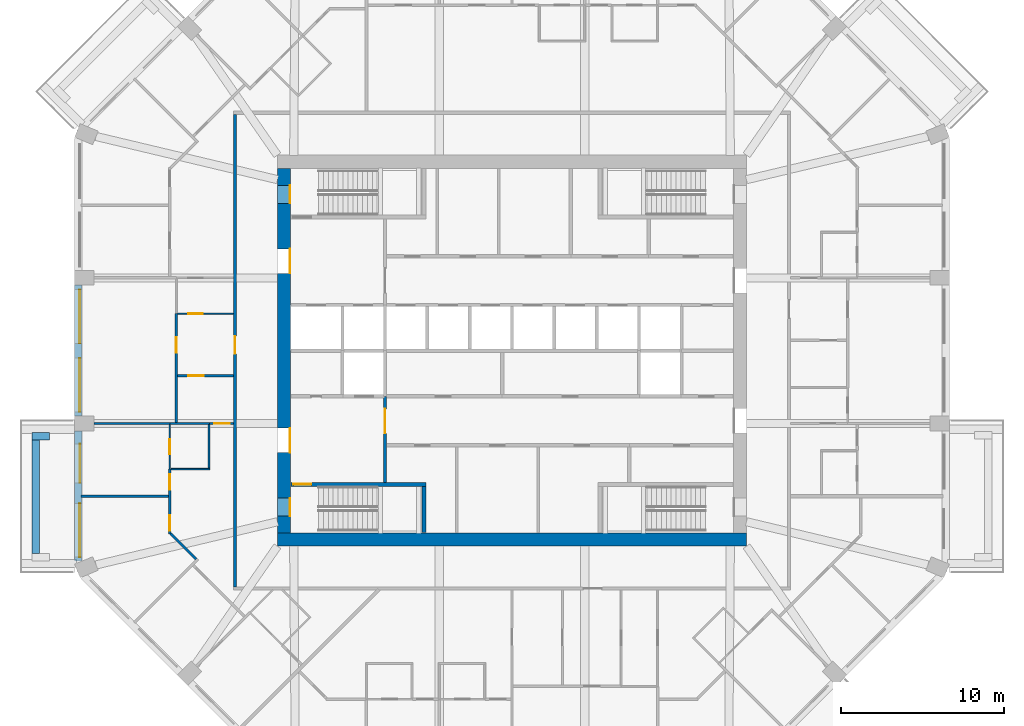
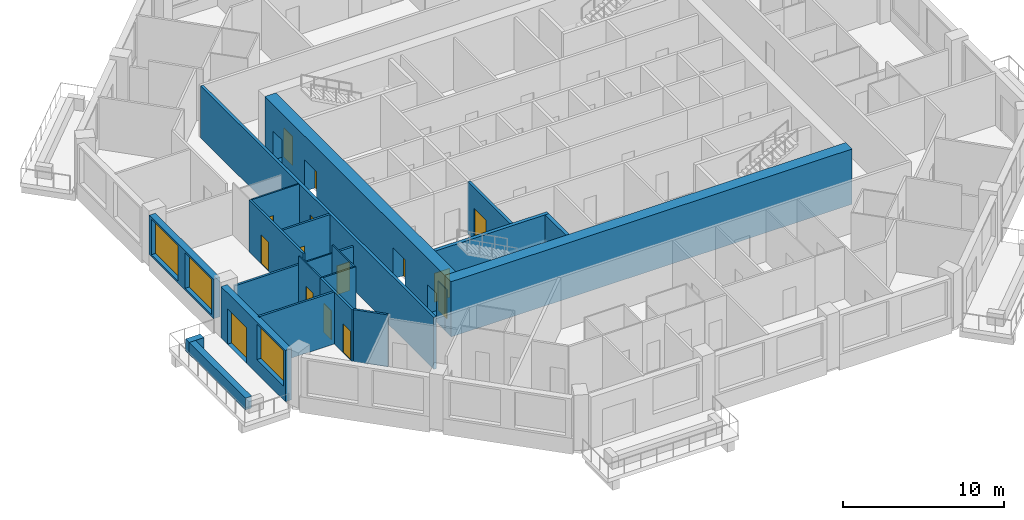
# One storey, part 4 of 12: 22 walls, 15 doors, 3 windows, 18 openings.
"""IFC4 building model written with IfcOpenShell, lengths in metres."""

import ifcopenshell
import ifcopenshell.guid

model = None  # the IFC model being written
_history = None  # IfcOwnerHistory: only IFC2X3 demands one
_inside = {}  # id of a spatial element -> (the spatial element, [elements in it])
_under = {}  # id of a project, library or spatial element -> (it, [spatial elements below it])
_declared = {}  # id of a project -> (the project, [libraries it declares])
_typed = {}  # id of a type object -> (the type object, [elements of that type])
_made_of = {}  # id of a material, layer set ... -> (it, [elements and type objects made of it])


def new_model(schema):
    """Start an empty IFC model of exactly this schema.

    Asked for "IFC4X3", IfcOpenShell would pick the latest addendum, in which some entities
    have other attributes; the version numbers below select the first issue.
    IFC2X3 requires an IfcOwnerHistory on every rooted entity: one is made here for all.
    """
    global model, _history
    if schema == "IFC4X3":
        model = ifcopenshell.file(schema_version=(4, 3, 0, 0))
    else:
        model = ifcopenshell.file(schema=schema)
    _inside.clear()
    _under.clear()
    _declared.clear()
    _typed.clear()
    _made_of.clear()
    _history = None
    if model.schema == "IFC2X3":
        org = make("IfcOrganization", Name="unknown")
        user = make(
            "IfcPersonAndOrganization",
            ThePerson=make("IfcPerson", FamilyName="unknown"),
            TheOrganization=org,
        )
        app = make(
            "IfcApplication",
            ApplicationDeveloper=org,
            Version="unknown",
            ApplicationFullName="unknown",
            ApplicationIdentifier="unknown",
        )
        _history = make(
            "IfcOwnerHistory",
            OwningUser=user,
            OwningApplication=app,
            ChangeAction="ADDED",
            CreationDate=0,
        )
    return model


def make(cls, **values):
    """One entity of the class cls with the attributes given. An attribute that is None is left unset."""
    return model.create_entity(
        cls, **{name: value for name, value in values.items() if value is not None}
    )


def rooted(cls, **values):
    """An entity with a GlobalId (a new one), such as an element, a storey or a relation."""
    return make(cls, GlobalId=ifcopenshell.guid.new(), OwnerHistory=_history, **values)


def si_unit(unit_type, name, prefix=None):
    """IfcSIUnit, for example si_unit("LENGTHUNIT", "METRE", prefix="MILLI")."""
    return make("IfcSIUnit", UnitType=unit_type, Prefix=prefix, Name=name)


def assignment(units):
    """IfcUnitAssignment: the units of a project."""
    return None if units is None else make("IfcUnitAssignment", Units=units)


def point(xyz):
    """IfcCartesianPoint."""
    return None if xyz is None else make("IfcCartesianPoint", Coordinates=xyz)


def direction(xyz):
    """IfcDirection."""
    return None if xyz is None else make("IfcDirection", DirectionRatios=xyz)


def frame(location, z_axis=None, x_axis=None):
    """IfcAxis2Placement3D, a coordinate frame: its origin and axes. An axis left out is left unset."""
    return make(
        "IfcAxis2Placement3D",
        Location=point(location),
        Axis=direction(z_axis),
        RefDirection=direction(x_axis),
    )


def frame_2d(location, x_axis=None):
    """IfcAxis2Placement2D, a coordinate frame in the plane: its origin and x axis."""
    return make(
        "IfcAxis2Placement2D", Location=point(location), RefDirection=direction(x_axis)
    )


def origin():
    """The frame at (0, 0, 0) with its axes left unset."""
    return frame((0.0, 0.0, 0.0))


def place(relative_to, where):
    """IfcLocalPlacement: puts the frame where relative to a parent placement (None: the world)."""
    return make(
        "IfcLocalPlacement", PlacementRelTo=relative_to, RelativePlacement=where
    )


def context(
    kind, dimensions, precision=None, world=None, true_north=None, identifier=None
):
    """IfcGeometricRepresentationContext, for example the 3D "Model" context."""
    return make(
        "IfcGeometricRepresentationContext",
        ContextIdentifier=identifier,
        ContextType=kind,
        CoordinateSpaceDimension=dimensions,
        Precision=precision,
        WorldCoordinateSystem=world,
        TrueNorth=true_north,
    )


def subcontext(parent, identifier, kind, view, scale=None):
    """IfcGeometricRepresentationSubContext, for example "Body" below "Model"."""
    return make(
        "IfcGeometricRepresentationSubContext",
        ContextIdentifier=identifier,
        ContextType=kind,
        ParentContext=parent,
        TargetScale=scale,
        TargetView=view,
    )


def project(units=None, contexts=None):
    """IfcProject with its units and contexts."""
    return rooted(
        "IfcProject",
        Name="project",
        RepresentationContexts=contexts,
        UnitsInContext=assignment(units),
    )


def spatial(cls, under=None, at=None, **own):
    """A site, building, storey or space (cls), placed at a placement, below another one or the project."""
    s = rooted(cls, ObjectPlacement=at, **own)
    if under is not None:
        _under.setdefault(under.id(), (under, []))[1].append(s)
    return s


def profile(cls, at=None, kind="AREA", **sizes):
    """A parametric profile (cls). Its sizes go by their IFC names, for example OverallWidth=200.0."""
    return make(cls, ProfileType=kind, Position=at, **sizes)


def rectangle(**sizes):
    """IfcRectangleProfileDef."""
    return profile("IfcRectangleProfileDef", **sizes)


def extrude(swept, where, along, depth):
    """IfcExtrudedAreaSolid: the profile swept, set in the frame where, extruded along a direction by depth."""
    return make(
        "IfcExtrudedAreaSolid",
        SweptArea=swept,
        Position=where,
        ExtrudedDirection=direction(along),
        Depth=depth,
    )


def shape(context_of_items, identifier, shape_type, items):
    """IfcShapeRepresentation: the items that make up one representation, for example the "Body"."""
    return make(
        "IfcShapeRepresentation",
        ContextOfItems=context_of_items,
        RepresentationIdentifier=identifier,
        RepresentationType=shape_type,
        Items=items,
    )


def material(Name=None, Category=None):
    """IfcMaterial."""
    return make("IfcMaterial", Name=Name, Category=Category)


def layer(
    of_material, thickness, ventilated=None, Name=None, Category=None, Priority=None
):
    """IfcMaterialLayer: one layer of a wall or slab, of a material (None: an air gap)."""
    return make(
        "IfcMaterialLayer",
        Material=of_material,
        LayerThickness=thickness,
        IsVentilated=ventilated,
        Name=Name,
        Category=Category,
        Priority=Priority,
    )


def layer_set(layers, Name=None):
    """IfcMaterialLayerSet."""
    return make("IfcMaterialLayerSet", MaterialLayers=layers, LayerSetName=Name)


def made_of(thing, what):
    """Note that an element or type object is made of a material, layer set ...; save() writes the relation."""
    if what is not None:
        _made_of.setdefault(what.id(), (what, []))[1].append(thing)
    return thing


def type_object(cls, material=None, **own):
    """A type object (cls), such as IfcWallType, which elements share."""
    return made_of(rooted(cls, **own), material)


def element(
    cls,
    number,
    at=None,
    inside=None,
    cuts=None,
    type_object=None,
    material=None,
    context=None,
    identifier="Body",
    shape_type=None,
    held_by="IfcProductDefinitionShape",
    body=None,
    shapes=None,
    **own,
):
    """One element of the class cls, such as IfcWall. Its Tag is "e" and its number.

    at: its placement. inside: the storey or other place that contains it. cuts: it is an
    opening in that element (IfcRelVoidsElement). A single representation is given by context,
    identifier, shape_type and body (its items); several are given by shapes. held_by: the class
    of the entity that holds the representations. save() writes the other relations.
    """
    e = rooted(cls, Tag="e%d" % number, ObjectPlacement=at, **own)
    if body is not None:
        shapes = [shape(context, identifier, shape_type, body)]
    if shapes is not None:
        e.Representation = make(held_by, Representations=shapes)
    if inside is not None:
        _inside.setdefault(inside.id(), (inside, []))[1].append(e)
    if cuts is not None:
        rooted(
            "IfcRelVoidsElement", RelatingBuildingElement=cuts, RelatedOpeningElement=e
        )
    if type_object is not None:
        _typed.setdefault(type_object.id(), (type_object, []))[1].append(e)
    return made_of(e, material)


def fill(opening, filler):
    """IfcRelFillsElement: the door or window that sits in an opening."""
    return rooted(
        "IfcRelFillsElement",
        RelatingOpeningElement=opening,
        RelatedBuildingElement=filler,
    )


def aggregate(whole, parts):
    """IfcRelAggregates: a whole, such as a stair, and the parts it consists of."""
    return rooted("IfcRelAggregates", RelatingObject=whole, RelatedObjects=parts)


def save(model, path):
    """Write the relations noted so far, then the file.

    IfcRelAggregates (storeys below a building ...), IfcRelContainedInSpatialStructure (elements
    in a storey), IfcRelDefinesByType, IfcRelAssociatesMaterial and IfcRelDeclares: one each for
    every whole, place, type object, material and project.
    """
    for whole, parts in _under.values():
        aggregate(whole, parts)
    for where, things in _inside.values():
        rooted(
            "IfcRelContainedInSpatialStructure",
            RelatedElements=things,
            RelatingStructure=where,
        )
    for kind, things in _typed.values():
        rooted("IfcRelDefinesByType", RelatedObjects=things, RelatingType=kind)
    for what, things in _made_of.values():
        rooted("IfcRelAssociatesMaterial", RelatedObjects=things, RelatingMaterial=what)
    for by, libraries in _declared.values():
        rooted("IfcRelDeclares", RelatingContext=by, RelatedDefinitions=libraries)
    model.write(path)


model = new_model("IFC4")

# Units and contexts
model_context = context("Model", 3, precision=1e-05, world=origin(), true_north=direction((0.0, 1.0)))
body_context = subcontext(model_context, "Body", "Model", "MODEL_VIEW")
ifc_project = project(units=[si_unit("LENGTHUNIT", "METRE"), si_unit("AREAUNIT", "SQUARE_METRE"), si_unit("VOLUMEUNIT", "CUBIC_METRE"), si_unit("PLANEANGLEUNIT", "RADIAN"), si_unit("MASSUNIT", "GRAM", prefix="KILO")], contexts=[model_context])

# Site, building, storey
site_placement = place(None, origin())
site = spatial("IfcSite", under=ifc_project, at=site_placement, CompositionType="ELEMENT")
building_placement = place(site_placement, origin())
building = spatial("IfcBuilding", under=site, at=building_placement, Name="Msitu Wima Residences", CompositionType="ELEMENT")
storey_placement = place(building_placement, frame((0.0, 0.0, 123.300048828125)))
storey = spatial("IfcBuildingStorey", under=building, at=storey_placement, Name="L28", CompositionType="ELEMENT", Elevation=123.300048828125)

# Walls
ifc_material_1 = material(Name="Facing brick")
ifc_layer_1 = layer(ifc_material_1, 0.06494140625, Name="Facing brick")
ifc_material_2 = material(Name="Concrete C40/50", Category="concrete")
ifc_layer_2 = layer(ifc_material_2, 0.156005859375, Name="Concrete C40/50")
ifc_material_3 = material(Name="Waterproofing membrane")
ifc_layer_3 = layer(ifc_material_3, 0.00390625, Name="Waterproofing membrane")
ifc_material_4 = material(Name="Planting soil and planting")
ifc_layer_4 = layer(ifc_material_4, 0.22509765625, Name="Planting soil and planting")
ifc_layer_set_1 = layer_set([ifc_layer_1, ifc_layer_2, ifc_layer_3, ifc_layer_4], Name="Concrete C40/50")
wall_type_1 = type_object("IfcWallType", Name="Balcony planter PLANTER PL450", PredefinedType="USERDEFINED", material=ifc_layer_set_1)
wall_1_placement = place(storey_placement, frame((-29.22509765625, -5.468505859375, 0.0), z_axis=(0.0, 0.0, 1.0), x_axis=(0.0, -1.0, 0.0)))
element("IfcWall", 1, at=wall_1_placement, inside=storey, type_object=wall_type_1, Name="Balcony planter W2 L28", ObjectType="PLANTER", PredefinedType="USERDEFINED", context=body_context, shape_type="SweptSolid", body=[
    extrude(rectangle(XDim=6.9873046875, YDim=0.449951171875, at=frame_2d((3.49365234375, 0.0))), origin(), (0.0, 0.0, 1.0), 0.89990234375),
])
wall_2_placement = place(storey_placement, frame((-28.39990234375, -5.24365234375, 0.0), z_axis=(0.0, 0.0, 1.0), x_axis=(-1.0, 0.0, 0.0)))
element("IfcWall", 2, at=wall_2_placement, inside=storey, type_object=wall_type_1, Name="Balcony planter W2 L28", ObjectType="PLANTER", PredefinedType="USERDEFINED", context=body_context, shape_type="SweptSolid", body=[
    extrude(rectangle(XDim=1.050048828125, YDim=0.449951171875, at=frame_2d((0.52490234375, 0.0))), origin(), (0.0, 0.0, 1.0), 0.89990234375),
])

# Wall, openings, windows
ifc_material_5 = material(Name="Brick (red buff mix)", Category="masonry")
ifc_layer_5 = layer(ifc_material_5, 0.449951171875)
ifc_layer_set_2 = layer_set([ifc_layer_5], Name="Brick (red buff mix)")
wall_type_2 = type_object("IfcWallType", Name="Brick infill wall BW450", PredefinedType="SOLIDWALL", material=ifc_layer_set_2)
wall_3_placement = place(storey_placement, frame((-26.625, 4.0185546875, 0.89990234375), z_axis=(0.0, 0.0, 1.0), x_axis=(0.0, -1.0, 0.0)))
wall_3 = element("IfcWall", 3, at=wall_3_placement, inside=storey, type_object=wall_type_2, Name="Brick infill wall L28 W1", PredefinedType="SOLIDWALL", context=body_context, shape_type="SweptSolid", body=[
    extrude(rectangle(XDim=8.037109375, YDim=0.449951171875, at=frame_2d((4.0185546875, 0.0))), origin(), (0.0, 0.0, 1.0), 3.0),
])
opening_1_placement = place(wall_3_placement, frame((0.2685546875, 0.0, 0.14990234375)))
opening_1 = element("IfcOpeningElement", 4, at=opening_1_placement, cuts=wall_3, Name="Opening W27-29.031", PredefinedType="OPENING", context=body_context, shape_type="SweptSolid", body=[
    extrude(rectangle(XDim=3.300048828125, YDim=2.699951171875, at=frame_2d((1.64990234375, 1.35009765625))), frame((0.0, 0.23486328125, 0.0), z_axis=(0.0, -1.0, 0.0), x_axis=(1.0, 0.0, 0.0)), (0.0, 0.0, 1.0), 0.469970703125),
])
opening_2_placement = place(wall_3_placement, frame((4.46875, 0.0, 0.14990234375)))
opening_2 = element("IfcOpeningElement", 5, at=opening_2_placement, cuts=wall_3, Name="Opening W27-29.032", PredefinedType="OPENING", context=body_context, shape_type="SweptSolid", body=[
    extrude(rectangle(XDim=3.300048828125, YDim=2.699951171875, at=frame_2d((1.64990234375, 1.35009765625))), frame((0.0, 0.23486328125, 0.0), z_axis=(0.0, -1.0, 0.0), x_axis=(1.0, 0.0, 0.0)), (0.0, 0.0, 1.0), 0.469970703125),
])
ifc_material_6 = material(Name="Anodised aluminium, bronze finish, clear low-emissivity double glazing", Category="aluminium")
window_type = type_object("IfcWindowType", Name="Window W3300x2700", PartitioningType="DOUBLE_PANEL_VERTICAL", PredefinedType="WINDOW", material=ifc_material_6)
window_1_placement = place(opening_1_placement, origin())
window_1 = element("IfcWindow", 6, at=window_1_placement, inside=storey, type_object=window_type, Name="Window L28 W1.1", OverallHeight=2.699951171875, OverallWidth=3.300048828125, PartitioningType="SINGLE_PANEL", PredefinedType="WINDOW", context=body_context, shape_type="SweptSolid", body=[
    extrude(rectangle(XDim=3.300048828125, YDim=2.699951171875, at=frame_2d((1.64990234375, 1.35009765625))), frame((0.0, 0.135009765625, 0.0), z_axis=(0.0, -1.0, 0.0), x_axis=(1.0, 0.0, 0.0)), (0.0, 0.0, 1.0), 0.06005859375),
])
fill(opening_1, window_1)
window_2_placement = place(opening_2_placement, origin())
window_2 = element("IfcWindow", 7, at=window_2_placement, inside=storey, type_object=window_type, Name="Window L28 W1.2", OverallHeight=2.699951171875, OverallWidth=3.300048828125, PartitioningType="SINGLE_PANEL", PredefinedType="WINDOW", context=body_context, shape_type="SweptSolid", body=[
    extrude(rectangle(XDim=3.300048828125, YDim=2.699951171875, at=frame_2d((1.64990234375, 1.35009765625))), frame((0.0, 0.135009765625, 0.0), z_axis=(0.0, -1.0, 0.0), x_axis=(1.0, 0.0, 0.0)), (0.0, 0.0, 1.0), 0.06005859375),
])
fill(opening_2, window_2)

# Wall, openings, door, window
wall_4_placement = place(storey_placement, frame((-26.625, -4.918701171875, 0.0), z_axis=(0.0, 0.0, 1.0), x_axis=(0.0, -1.0, 0.0)))
wall_4 = element("IfcWall", 8, at=wall_4_placement, inside=storey, type_object=wall_type_2, Name="Brick infill wall L28 W2", PredefinedType="SOLIDWALL", context=body_context, shape_type="SweptSolid", body=[
    extrude(rectangle(XDim=8.0, YDim=0.449951171875, at=frame_2d((4.0, 0.0))), origin(), (0.0, 0.0, 1.0), 3.89990234375),
])
opening_3_placement = place(wall_4_placement, frame((0.800048828125, 0.0, 0.0)))
opening_3 = element("IfcOpeningElement", 9, at=opening_3_placement, cuts=wall_4, Name="Opening D27-29.007", PredefinedType="OPENING", context=body_context, shape_type="SweptSolid", body=[
    extrude(rectangle(XDim=2.39990234375, YDim=2.699951171875, at=frame_2d((1.199951171875, 1.35009765625))), frame((0.0, 0.23486328125, 0.0), z_axis=(0.0, -1.0, 0.0), x_axis=(1.0, 0.0, 0.0)), (0.0, 0.0, 1.0), 0.469970703125),
])
opening_4_placement = place(wall_4_placement, frame((4.4501953125, 0.0, 1.050048828125)))
opening_4 = element("IfcOpeningElement", 10, at=opening_4_placement, cuts=wall_4, Name="Opening W27-29.033", PredefinedType="OPENING", context=body_context, shape_type="SweptSolid", body=[
    extrude(rectangle(XDim=3.300048828125, YDim=2.699951171875, at=frame_2d((1.64990234375, 1.35009765625))), frame((0.0, 0.23486328125, 0.0), z_axis=(0.0, -1.0, 0.0), x_axis=(1.0, 0.0, 0.0)), (0.0, 0.0, 1.0), 0.469970703125),
])
door_type_1 = type_object("IfcDoorType", Name="Balcony door D2400x2700", OperationType="SLIDING_TO_LEFT", PredefinedType="DOOR", material=ifc_material_6)
door_1_placement = place(opening_3_placement, origin())
door_1 = element("IfcDoor", 11, at=door_1_placement, inside=storey, type_object=door_type_1, Name="Balcony door L28 W2", OperationType="SINGLE_SWING_LEFT", OverallHeight=2.699951171875, OverallWidth=2.39990234375, PredefinedType="DOOR", context=body_context, shape_type="SweptSolid", body=[
    extrude(rectangle(XDim=2.39990234375, YDim=2.699951171875, at=frame_2d((1.199951171875, 1.35009765625))), frame((0.0, 0.1298828125, 0.0), z_axis=(0.0, -1.0, 0.0), x_axis=(1.0, 0.0, 0.0)), (0.0, 0.0, 1.0), 0.050048828125),
])
fill(opening_3, door_1)
window_3_placement = place(opening_4_placement, origin())
window_3 = element("IfcWindow", 12, at=window_3_placement, inside=storey, type_object=window_type, Name="Window L28 W2.2", OverallHeight=2.699951171875, OverallWidth=3.300048828125, PartitioningType="SINGLE_PANEL", PredefinedType="WINDOW", context=body_context, shape_type="SweptSolid", body=[
    extrude(rectangle(XDim=3.300048828125, YDim=2.699951171875, at=frame_2d((1.64990234375, 1.35009765625))), frame((0.0, 0.135009765625, 0.0), z_axis=(0.0, -1.0, 0.0), x_axis=(1.0, 0.0, 0.0)), (0.0, 0.0, 1.0), 0.06005859375),
])
fill(opening_4, window_3)

# Wall
ifc_material_7 = material(Name="Concrete C70/85", Category="concrete")
ifc_layer_6 = layer(ifc_material_7, 0.800048828125)
ifc_layer_set_3 = layer_set([ifc_layer_6], Name="Concrete C70/85")
wall_type_3 = type_object("IfcWallType", Name="Core wall CW800 C70/85", PredefinedType="SHEAR", material=ifc_layer_set_3)
wall_5_placement = place(storey_placement, frame((-14.39990234375, -11.60009765625, 0.0), z_axis=(0.0, 0.0, 1.0), x_axis=(1.0, 0.0, 0.0)))
element("IfcWall", 13, at=wall_5_placement, inside=storey, type_object=wall_type_3, Name="Core wall", PredefinedType="SHEAR", context=body_context, shape_type="SweptSolid", body=[
    extrude(rectangle(XDim=28.7998046875, YDim=0.800048828125, at=frame_2d((14.39990234375, 0.0))), origin(), (0.0, 0.0, 1.0), 4.199951171875),
])

# Wall, openings, doors
wall_6_placement = place(storey_placement, frame((-14.0, -11.199951171875, 0.0), z_axis=(0.0, 0.0, 1.0), x_axis=(0.0, 1.0, 0.0)))
wall_6 = element("IfcWall", 14, at=wall_6_placement, inside=storey, type_object=wall_type_3, Name="Core wall", PredefinedType="SHEAR", context=body_context, shape_type="SweptSolid", body=[
    extrude(rectangle(XDim=22.39990234375, YDim=0.800048828125, at=frame_2d((11.199951171875, 0.0))), origin(), (0.0, 0.0, 1.0), 4.199951171875),
])
opening_5_placement = place(wall_6_placement, frame((20.25, 0.0, 0.0)))
opening_5 = element("IfcOpeningElement", 15, at=opening_5_placement, cuts=wall_6, Name="Opening D27-29.031", PredefinedType="OPENING", context=body_context, shape_type="SweptSolid", body=[
    extrude(rectangle(XDim=1.10009765625, YDim=2.199951171875, at=frame_2d((0.550048828125, 1.10009765625))), frame((0.0, 0.409912109375, 0.0), z_axis=(0.0, -1.0, 0.0), x_axis=(1.0, 0.0, 0.0)), (0.0, 0.0, 1.0), 0.820068359375),
])
opening_6_placement = place(wall_6_placement, frame((1.050048828125, 0.0, 0.0)))
opening_6 = element("IfcOpeningElement", 16, at=opening_6_placement, cuts=wall_6, Name="Opening D27-29.033", PredefinedType="OPENING", context=body_context, shape_type="SweptSolid", body=[
    extrude(rectangle(XDim=1.10009765625, YDim=2.199951171875, at=frame_2d((0.550048828125, 1.10009765625))), frame((0.0, 0.409912109375, 0.0), z_axis=(0.0, -1.0, 0.0), x_axis=(1.0, 0.0, 0.0)), (0.0, 0.0, 1.0), 0.820068359375),
])
opening_7_placement = place(wall_6_placement, frame((15.949951171875, 0.0, 0.0)))
opening_7 = element("IfcOpeningElement", 17, at=opening_7_placement, cuts=wall_6, Name="Opening D27-29.012", PredefinedType="OPENING", context=body_context, shape_type="SweptSolid", body=[
    extrude(rectangle(XDim=1.5, YDim=2.39990234375, at=frame_2d((0.75, 1.199951171875))), frame((0.0, 0.409912109375, 0.0), z_axis=(0.0, -1.0, 0.0), x_axis=(1.0, 0.0, 0.0)), (0.0, 0.0, 1.0), 0.820068359375),
])
opening_8_placement = place(wall_6_placement, frame((4.949951171875, 0.0, 0.0)))
opening_8 = element("IfcOpeningElement", 18, at=opening_8_placement, cuts=wall_6, Name="Opening D27-29.014", PredefinedType="OPENING", context=body_context, shape_type="SweptSolid", body=[
    extrude(rectangle(XDim=1.5, YDim=2.39990234375, at=frame_2d((0.75, 1.199951171875))), frame((0.0, 0.409912109375, 0.0), z_axis=(0.0, -1.0, 0.0), x_axis=(1.0, 0.0, 0.0)), (0.0, 0.0, 1.0), 0.820068359375),
])
ifc_material_8 = material(Name="Steel framed glazed door, fire resisting", Category="steel")
door_type_2 = type_object("IfcDoorType", Name="Lobby door D07 1500x2400", OperationType="DOUBLE_DOOR_SINGLE_SWING", PredefinedType="DOOR", material=ifc_material_8)
door_2_placement = place(opening_7_placement, origin())
door_2 = element("IfcDoor", 19, at=door_2_placement, inside=storey, type_object=door_type_2, Name="Lobby door", OperationType="DOUBLE_DOOR_SINGLE_SWING", OverallHeight=2.39990234375, OverallWidth=1.5, PredefinedType="DOOR", context=body_context, shape_type="SweptSolid", body=[
    extrude(rectangle(XDim=1.5, YDim=2.39990234375, at=frame_2d((0.75, 1.199951171875))), frame((0.0, -0.34521484375, 0.0), z_axis=(0.0, -1.0, 0.0), x_axis=(1.0, 0.0, 0.0)), (0.0, 0.0, 1.0), 0.050048828125),
])
fill(opening_7, door_2)
door_3_placement = place(opening_8_placement, origin())
door_3 = element("IfcDoor", 20, at=door_3_placement, inside=storey, type_object=door_type_2, Name="Lobby door", OperationType="DOUBLE_DOOR_SINGLE_SWING", OverallHeight=2.39990234375, OverallWidth=1.5, PredefinedType="DOOR", context=body_context, shape_type="SweptSolid", body=[
    extrude(rectangle(XDim=1.5, YDim=2.39990234375, at=frame_2d((0.75, 1.199951171875))), frame((0.0, -0.34521484375, 0.0), z_axis=(0.0, -1.0, 0.0), x_axis=(1.0, 0.0, 0.0)), (0.0, 0.0, 1.0), 0.050048828125),
])
fill(opening_8, door_3)
ifc_material_9 = material(Name="Steel door, fire resisting, panic bar", Category="steel")
door_type_3 = type_object("IfcDoorType", Name="Stair door D06 1100x2200", OperationType="SINGLE_SWING_LEFT", PredefinedType="DOOR", material=ifc_material_9)
door_4_placement = place(opening_5_placement, origin())
door_4 = element("IfcDoor", 21, at=door_4_placement, inside=storey, type_object=door_type_3, Name="Stair door", OperationType="SINGLE_SWING_RIGHT", OverallHeight=2.199951171875, OverallWidth=1.10009765625, PredefinedType="DOOR", context=body_context, shape_type="SweptSolid", body=[
    extrude(rectangle(XDim=1.10009765625, YDim=2.199951171875, at=frame_2d((0.550048828125, 1.10009765625))), frame((0.0, -0.34521484375, 0.0), z_axis=(0.0, -1.0, 0.0), x_axis=(1.0, 0.0, 0.0)), (0.0, 0.0, 1.0), 0.050048828125),
])
fill(opening_5, door_4)
door_5_placement = place(opening_6_placement, origin())
door_5 = element("IfcDoor", 22, at=door_5_placement, inside=storey, type_object=door_type_3, Name="Stair door", OperationType="SINGLE_SWING_LEFT", OverallHeight=2.199951171875, OverallWidth=1.10009765625, PredefinedType="DOOR", context=body_context, shape_type="SweptSolid", body=[
    extrude(rectangle(XDim=1.10009765625, YDim=2.199951171875, at=frame_2d((0.550048828125, 1.10009765625))), frame((0.0, -0.34521484375, 0.0), z_axis=(0.0, -1.0, 0.0), x_axis=(1.0, 0.0, 0.0)), (0.0, 0.0, 1.0), 0.050048828125),
])
fill(opening_6, door_5)

# Wall, opening, door
ifc_material_10 = material(Name="Plaster")
ifc_layer_7 = layer(ifc_material_10, 0.011962890625, Name="Plaster")
ifc_material_11 = material(Name="Concrete blockwork", Category="masonry")
ifc_layer_8 = layer(ifc_material_11, 0.176025390625, Name="Concrete blockwork")
ifc_layer_9 = layer(ifc_material_10, 0.011962890625, Name="Plaster")
ifc_layer_set_4 = layer_set([ifc_layer_7, ifc_layer_8, ifc_layer_9], Name="Concrete blockwork")
wall_type_4 = type_object("IfcWallType", Name="Corridor wall FW200", PredefinedType="PARTITIONING", material=ifc_layer_set_4)
wall_7_placement = place(storey_placement, frame((-17.0, -14.5, 0.0), z_axis=(0.0, 0.0, 1.0), x_axis=(0.0, 1.0, 0.0)))
wall_7 = element("IfcWall", 23, at=wall_7_placement, inside=storey, type_object=wall_type_4, Name="Corridor wall", PredefinedType="PARTITIONING", context=body_context, shape_type="SweptSolid", body=[
    extrude(rectangle(XDim=29.0, YDim=0.199951171875, at=frame_2d((14.5, 0.0))), origin(), (0.0, 0.0, 1.0), 3.949951171875),
])
opening_9_placement = place(wall_7_placement, frame((14.300048828125, 0.0, 0.0)))
opening_9 = element("IfcOpeningElement", 24, at=opening_9_placement, cuts=wall_7, Name="Opening D27-29.009", PredefinedType="OPENING", context=body_context, shape_type="SweptSolid", body=[
    extrude(rectangle(XDim=1.10009765625, YDim=2.39990234375, at=frame_2d((0.550048828125, 1.199951171875))), frame((0.0, 0.10986328125, 0.0), z_axis=(0.0, -1.0, 0.0), x_axis=(1.0, 0.0, 0.0)), (0.0, 0.0, 1.0), 0.219970703125),
])
ifc_material_12 = material(Name="Timber flush door, fire resisting, self-closing", Category="wood")
door_type_4 = type_object("IfcDoorType", Name="Flat entrance door D01 1100x2400", OperationType="SINGLE_SWING_LEFT", PredefinedType="DOOR", material=ifc_material_12)
door_6_placement = place(opening_9_placement, origin())
door_6 = element("IfcDoor", 25, at=door_6_placement, inside=storey, type_object=door_type_4, Name="Flat entrance door", OperationType="SINGLE_SWING_LEFT", OverallHeight=2.39990234375, OverallWidth=1.10009765625, PredefinedType="DOOR", context=body_context, shape_type="SweptSolid", body=[
    extrude(rectangle(XDim=1.10009765625, YDim=2.39990234375, at=frame_2d((0.550048828125, 1.199951171875))), frame((0.0, 0.02490234375, 0.0), z_axis=(0.0, -1.0, 0.0), x_axis=(1.0, 0.0, 0.0)), (0.0, 0.0, 1.0), 0.050048828125),
])
fill(opening_9, door_6)

wall_8_placement = place(storey_placement, frame((-7.800048828125, -8.074951171875, 0.0), z_axis=(0.0, 0.0, 1.0), x_axis=(0.0, 1.0, 0.0)))
wall_8 = element("IfcWall", 26, at=wall_8_placement, inside=storey, type_object=wall_type_4, Name="Corridor wall", PredefinedType="PARTITIONING", context=body_context, shape_type="SweptSolid", body=[
    extrude(rectangle(XDim=5.27490234375, YDim=0.199951171875, at=frame_2d((2.637451171875, 0.0))), origin(), (0.0, 0.0, 1.0), 3.949951171875),
])
opening_10_placement = place(wall_8_placement, frame((3.0, 0.0, 0.0)))
opening_10 = element("IfcOpeningElement", 27, at=opening_10_placement, cuts=wall_8, Name="Opening D27-29.015", PredefinedType="OPENING", context=body_context, shape_type="SweptSolid", body=[
    extrude(rectangle(XDim=1.5, YDim=2.39990234375, at=frame_2d((0.75, 1.199951171875))), frame((0.0, 0.10986328125, 0.0), z_axis=(0.0, -1.0, 0.0), x_axis=(1.0, 0.0, 0.0)), (0.0, 0.0, 1.0), 0.219970703125),
])
door_7_placement = place(opening_10_placement, origin())
door_7 = element("IfcDoor", 28, at=door_7_placement, inside=storey, type_object=door_type_2, Name="Lobby door", OperationType="DOUBLE_DOOR_SINGLE_SWING", OverallHeight=2.39990234375, OverallWidth=1.5, PredefinedType="DOOR", context=body_context, shape_type="SweptSolid", body=[
    extrude(rectangle(XDim=1.5, YDim=2.39990234375, at=frame_2d((0.75, 1.199951171875))), frame((0.0, 0.02490234375, 0.0), z_axis=(0.0, -1.0, 0.0), x_axis=(1.0, 0.0, 0.0)), (0.0, 0.0, 1.0), 0.050048828125),
])
fill(opening_10, door_7)

# Walls
ifc_layer_10 = layer(ifc_material_10, 0.011962890625, Name="Plaster")
ifc_layer_11 = layer(ifc_material_11, 0.1259765625, Name="Concrete blockwork")
ifc_layer_12 = layer(ifc_material_10, 0.011962890625, Name="Plaster")
ifc_layer_set_5 = layer_set([ifc_layer_10, ifc_layer_11, ifc_layer_12], Name="Concrete blockwork")
wall_type_5 = type_object("IfcWallType", Name="Partition PW150", PredefinedType="PARTITIONING", material=ifc_layer_set_5)
wall_9_placement = place(storey_placement, frame((-26.455078125, -8.937255859375, 0.0), z_axis=(0.0, 0.0, 1.0), x_axis=(1.0, 0.0, 0.0)))
element("IfcWall", 29, at=wall_9_placement, inside=storey, type_object=wall_type_5, Name="Partition", PredefinedType="PARTITIONING", context=body_context, shape_type="SweptSolid", body=[
    extrude(rectangle(XDim=5.380126953125, YDim=0.14990234375, at=frame_2d((2.68994140625, 0.0))), origin(), (0.0, 0.0, 1.0), 3.949951171875),
])
wall_10_placement = place(storey_placement, frame((-25.64990234375, -4.46875, 0.0), z_axis=(0.0, 0.0, 1.0), x_axis=(1.0, 0.0, 0.0)))
element("IfcWall", 30, at=wall_10_placement, inside=storey, type_object=wall_type_5, Name="Partition", PredefinedType="PARTITIONING", context=body_context, shape_type="SweptSolid", body=[
    extrude(rectangle(XDim=4.669921875, YDim=0.14990234375, at=frame_2d((2.3349609375, 0.0))), origin(), (0.0, 0.0, 1.0), 3.300048828125),
])

# Wall, openings, doors
wall_11_placement = place(storey_placement, frame((-21.0, -11.244140625, 0.0), z_axis=(0.0, 0.0, 1.0), x_axis=(0.0, 1.0, 0.0)))
wall_11 = element("IfcWall", 31, at=wall_11_placement, inside=storey, type_object=wall_type_5, Name="Partition", PredefinedType="PARTITIONING", context=body_context, shape_type="SweptSolid", body=[
    extrude(rectangle(XDim=3.99560546875, YDim=0.14990234375, at=frame_2d((1.997802734375, 0.0))), origin(), (0.0, 0.0, 1.0), 3.949951171875),
])
opening_11_placement = place(wall_11_placement, frame((2.699951171875, 0.0, 0.0)))
opening_11 = element("IfcOpeningElement", 32, at=opening_11_placement, cuts=wall_11, Name="Opening D27-29.060", PredefinedType="OPENING", context=body_context, shape_type="SweptSolid", body=[
    extrude(rectangle(XDim=0.949951171875, YDim=2.199951171875, at=frame_2d((0.47509765625, 1.10009765625))), frame((0.0, 0.0849609375, 0.0), z_axis=(0.0, -1.0, 0.0), x_axis=(1.0, 0.0, 0.0)), (0.0, 0.0, 1.0), 0.169921875),
])
opening_12_placement = place(wall_11_placement, frame((0.199951171875, 0.0, 0.0)))
opening_12 = element("IfcOpeningElement", 33, at=opening_12_placement, cuts=wall_11, Name="Opening D27-29.064", PredefinedType="OPENING", context=body_context, shape_type="SweptSolid", body=[
    extrude(rectangle(XDim=0.949951171875, YDim=2.199951171875, at=frame_2d((0.47509765625, 1.10009765625))), frame((0.0, 0.0849609375, 0.0), z_axis=(0.0, -1.0, 0.0), x_axis=(1.0, 0.0, 0.0)), (0.0, 0.0, 1.0), 0.169921875),
])
ifc_material_13 = material(Name="Timber flush door", Category="wood")
door_type_5 = type_object("IfcDoorType", Name="Room door D12 950x2200", OperationType="SINGLE_SWING_LEFT", PredefinedType="DOOR", material=ifc_material_13)
door_8_placement = place(opening_11_placement, origin())
door_8 = element("IfcDoor", 34, at=door_8_placement, inside=storey, type_object=door_type_5, Name="Room door", OperationType="SINGLE_SWING_LEFT", OverallHeight=2.199951171875, OverallWidth=0.949951171875, PredefinedType="DOOR", context=body_context, shape_type="SweptSolid", body=[
    extrude(rectangle(XDim=0.949951171875, YDim=2.199951171875, at=frame_2d((0.47509765625, 1.10009765625))), frame((0.0, 0.02490234375, 0.0), z_axis=(0.0, -1.0, 0.0), x_axis=(1.0, 0.0, 0.0)), (0.0, 0.0, 1.0), 0.050048828125),
])
fill(opening_11, door_8)
door_9_placement = place(opening_12_placement, origin())
door_9 = element("IfcDoor", 35, at=door_9_placement, inside=storey, type_object=door_type_5, Name="Room door", OperationType="SINGLE_SWING_RIGHT", OverallHeight=2.199951171875, OverallWidth=0.949951171875, PredefinedType="DOOR", context=body_context, shape_type="SweptSolid", body=[
    extrude(rectangle(XDim=0.949951171875, YDim=2.199951171875, at=frame_2d((0.47509765625, 1.10009765625))), frame((0.0, 0.02490234375, 0.0), z_axis=(0.0, -1.0, 0.0), x_axis=(1.0, 0.0, 0.0)), (0.0, 0.0, 1.0), 0.050048828125),
])
fill(opening_12, door_9)

# Wall
wall_12_placement = place(storey_placement, frame((-20.947021484375, -11.22216796875, 0.0), z_axis=(0.0, 0.0, 1.0), x_axis=(0.707106781187, -0.707106781187, 0.0)))
element("IfcWall", 36, at=wall_12_placement, inside=storey, type_object=wall_type_5, Name="Partition", PredefinedType="PARTITIONING", context=body_context, shape_type="SweptSolid", body=[
    extrude(rectangle(XDim=2.207275390625, YDim=0.14990234375, at=frame_2d((1.103515625, 0.0))), origin(), (0.0, 0.0, 1.0), 3.949951171875),
])

# Wall, opening, door
wall_13_placement = place(storey_placement, frame((-20.60009765625, -4.418701171875, 0.0), z_axis=(0.0, 0.0, 1.0), x_axis=(0.0, 1.0, 0.0)))
wall_13 = element("IfcWall", 37, at=wall_13_placement, inside=storey, type_object=wall_type_5, Name="Partition", PredefinedType="PARTITIONING", context=body_context, shape_type="SweptSolid", body=[
    extrude(rectangle(XDim=6.707275390625, YDim=0.14990234375, at=frame_2d((3.353515625, 0.0))), origin(), (0.0, 0.0, 1.0), 3.949951171875),
])
opening_13_placement = place(wall_13_placement, frame((4.300048828125, 0.0, 0.0)))
opening_13 = element("IfcOpeningElement", 38, at=opening_13_placement, cuts=wall_13, Name="Opening D27-29.049", PredefinedType="OPENING", context=body_context, shape_type="SweptSolid", body=[
    extrude(rectangle(XDim=0.949951171875, YDim=2.199951171875, at=frame_2d((0.47509765625, 1.10009765625))), frame((0.0, 0.0849609375, 0.0), z_axis=(0.0, -1.0, 0.0), x_axis=(1.0, 0.0, 0.0)), (0.0, 0.0, 1.0), 0.169921875),
])
door_10_placement = place(opening_13_placement, origin())
door_10 = element("IfcDoor", 39, at=door_10_placement, inside=storey, type_object=door_type_5, Name="Room door", OperationType="SINGLE_SWING_RIGHT", OverallHeight=2.199951171875, OverallWidth=0.949951171875, PredefinedType="DOOR", context=body_context, shape_type="SweptSolid", body=[
    extrude(rectangle(XDim=0.949951171875, YDim=2.199951171875, at=frame_2d((0.47509765625, 1.10009765625))), frame((0.0, 0.02490234375, 0.0), z_axis=(0.0, -1.0, 0.0), x_axis=(1.0, 0.0, 0.0)), (0.0, 0.0, 1.0), 0.050048828125),
])
fill(opening_13, door_10)

wall_14_placement = place(storey_placement, frame((-20.52490234375, -1.53125, 0.0), z_axis=(0.0, 0.0, 1.0), x_axis=(1.0, 0.0, 0.0)))
wall_14 = element("IfcWall", 40, at=wall_14_placement, inside=storey, type_object=wall_type_5, Name="Partition", PredefinedType="PARTITIONING", context=body_context, shape_type="SweptSolid", body=[
    extrude(rectangle(XDim=3.4248046875, YDim=0.14990234375, at=frame_2d((1.71240234375, 0.0))), origin(), (0.0, 0.0, 1.0), 3.949951171875),
])
opening_14_placement = place(wall_14_placement, frame((0.64990234375, 0.0, 0.0)))
opening_14 = element("IfcOpeningElement", 41, at=opening_14_placement, cuts=wall_14, Name="Opening D27-29.051", PredefinedType="OPENING", context=body_context, shape_type="SweptSolid", body=[
    extrude(rectangle(XDim=0.949951171875, YDim=2.199951171875, at=frame_2d((0.47509765625, 1.10009765625))), frame((0.0, 0.0849609375, 0.0), z_axis=(0.0, -1.0, 0.0), x_axis=(1.0, 0.0, 0.0)), (0.0, 0.0, 1.0), 0.169921875),
])
door_11_placement = place(opening_14_placement, origin())
door_11 = element("IfcDoor", 42, at=door_11_placement, inside=storey, type_object=door_type_5, Name="Room door", OperationType="SINGLE_SWING_RIGHT", OverallHeight=2.199951171875, OverallWidth=0.949951171875, PredefinedType="DOOR", context=body_context, shape_type="SweptSolid", body=[
    extrude(rectangle(XDim=0.949951171875, YDim=2.199951171875, at=frame_2d((0.47509765625, 1.10009765625))), frame((0.0, 0.02490234375, 0.0), z_axis=(0.0, -1.0, 0.0), x_axis=(1.0, 0.0, 0.0)), (0.0, 0.0, 1.0), 0.050048828125),
])
fill(opening_14, door_11)

wall_15_placement = place(storey_placement, frame((-18.580078125, -4.46875, 0.0), z_axis=(0.0, 0.0, 1.0), x_axis=(1.0, 0.0, 0.0)))
wall_15 = element("IfcWall", 43, at=wall_15_placement, inside=storey, type_object=wall_type_5, Name="Partition", PredefinedType="PARTITIONING", context=body_context, shape_type="SweptSolid", body=[
    extrude(rectangle(XDim=1.47998046875, YDim=0.14990234375, at=frame_2d((0.739990234375, 0.0))), origin(), (0.0, 0.0, 1.0), 3.300048828125),
])
opening_15_placement = place(wall_15_placement, frame((0.300048828125, 0.0, 0.0)))
opening_15 = element("IfcOpeningElement", 44, at=opening_15_placement, cuts=wall_15, Name="Opening D27-29.058", PredefinedType="OPENING", context=body_context, shape_type="SweptSolid", body=[
    extrude(rectangle(XDim=0.949951171875, YDim=2.199951171875, at=frame_2d((0.47509765625, 1.10009765625))), frame((0.0, 0.0849609375, 0.0), z_axis=(0.0, -1.0, 0.0), x_axis=(1.0, 0.0, 0.0)), (0.0, 0.0, 1.0), 0.169921875),
])
door_12_placement = place(opening_15_placement, origin())
door_12 = element("IfcDoor", 45, at=door_12_placement, inside=storey, type_object=door_type_5, Name="Room door", OperationType="SINGLE_SWING_RIGHT", OverallHeight=2.199951171875, OverallWidth=0.949951171875, PredefinedType="DOOR", context=body_context, shape_type="SweptSolid", body=[
    extrude(rectangle(XDim=0.949951171875, YDim=2.199951171875, at=frame_2d((0.47509765625, 1.10009765625))), frame((0.0, 0.02490234375, 0.0), z_axis=(0.0, -1.0, 0.0), x_axis=(1.0, 0.0, 0.0)), (0.0, 0.0, 1.0), 0.050048828125),
])
fill(opening_15, door_12)

ifc_material_14 = material(Name="Concrete C50/60", Category="concrete")
ifc_layer_13 = layer(ifc_material_14, 0.25)
ifc_layer_set_6 = layer_set([ifc_layer_13], Name="Concrete C50/60")
wall_type_6 = type_object("IfcWallType", Name="Stair enclosure wall SW250", PredefinedType="SHEAR", material=ifc_layer_set_6)
wall_16_placement = place(storey_placement, frame((-13.570068359375, -8.199951171875, 0.0), z_axis=(0.0, 0.0, 1.0), x_axis=(1.0, 0.0, 0.0)))
wall_16 = element("IfcWall", 46, at=wall_16_placement, inside=storey, type_object=wall_type_6, Name="Stair enclosure wall", PredefinedType="SHEAR", context=body_context, shape_type="SweptSolid", body=[
    extrude(rectangle(XDim=8.295166015625, YDim=0.25, at=frame_2d((4.1474609375, 0.0))), origin(), (0.0, 0.0, 1.0), 3.949951171875),
])
opening_16_placement = place(wall_16_placement, frame((0.14990234375, 0.0, 0.0)))
opening_16 = element("IfcOpeningElement", 47, at=opening_16_placement, cuts=wall_16, Name="Opening D27-29.034", PredefinedType="OPENING", context=body_context, shape_type="SweptSolid", body=[
    extrude(rectangle(XDim=1.10009765625, YDim=2.199951171875, at=frame_2d((0.550048828125, 1.10009765625))), frame((0.0, 0.135009765625, 0.0), z_axis=(0.0, -1.0, 0.0), x_axis=(1.0, 0.0, 0.0)), (0.0, 0.0, 1.0), 0.27001953125),
])
door_13_placement = place(opening_16_placement, origin())
door_13 = element("IfcDoor", 48, at=door_13_placement, inside=storey, type_object=door_type_3, Name="Stair door", OperationType="SINGLE_SWING_RIGHT", OverallHeight=2.199951171875, OverallWidth=1.10009765625, PredefinedType="DOOR", context=body_context, shape_type="SweptSolid", body=[
    extrude(rectangle(XDim=1.10009765625, YDim=2.199951171875, at=frame_2d((0.550048828125, 1.10009765625))), frame((0.0, 0.02490234375, 0.0), z_axis=(0.0, -1.0, 0.0), x_axis=(1.0, 0.0, 0.0)), (0.0, 0.0, 1.0), 0.050048828125),
])
fill(opening_16, door_13)

# Walls
wall_17_placement = place(storey_placement, frame((-5.39990234375, -11.169921875, 0.0), z_axis=(0.0, 0.0, 1.0), x_axis=(0.0, 1.0, 0.0)))
element("IfcWall", 49, at=wall_17_placement, inside=storey, type_object=wall_type_6, Name="Stair enclosure wall", PredefinedType="SHEAR", context=body_context, shape_type="SweptSolid", body=[
    extrude(rectangle(XDim=2.844970703125, YDim=0.25, at=frame_2d((1.42236328125, 0.0))), origin(), (0.0, 0.0, 1.0), 3.949951171875),
])
ifc_material_15 = material(Name="Ceramic tiles")
ifc_layer_14 = layer(ifc_material_15, 0.008056640625, Name="Ceramic tiles")
ifc_material_16 = material(Name="Moisture-resistant board")
ifc_layer_15 = layer(ifc_material_16, 0.012451171875, Name="Moisture-resistant board")
ifc_material_17 = material(Name="Light-gauge stud framing with mineral wool")
ifc_layer_16 = layer(ifc_material_17, 0.06689453125, Name="Light-gauge stud framing with mineral wool")
ifc_layer_17 = layer(ifc_material_16, 0.012451171875, Name="Moisture-resistant board")
ifc_layer_set_7 = layer_set([ifc_layer_14, ifc_layer_15, ifc_layer_16, ifc_layer_17], Name="Light-gauge stud framing with mineral wool")
wall_type_7 = type_object("IfcWallType", Name="Wet wall PW100", PredefinedType="PARTITIONING", material=ifc_layer_set_7)
wall_18_placement = place(storey_placement, frame((-20.97998046875, -4.46875, 0.0), z_axis=(0.0, 0.0, 1.0), x_axis=(1.0, 0.0, 0.0)))
element("IfcWall", 50, at=wall_18_placement, inside=storey, type_object=wall_type_7, Name="Wet wall", PredefinedType="PARTITIONING", context=body_context, shape_type="SweptSolid", body=[
    extrude(rectangle(XDim=2.39990234375, YDim=0.10009765625, at=frame_2d((1.199951171875, 0.0))), origin(), (0.0, 0.0, 1.0), 3.300048828125),
])

# Wall, opening, door
wall_19_placement = place(storey_placement, frame((-21.0, -7.24853515625, 0.0), z_axis=(0.0, 0.0, 1.0), x_axis=(0.0, 1.0, 0.0)))
wall_19 = element("IfcWall", 51, at=wall_19_placement, inside=storey, type_object=wall_type_7, Name="Wet wall", PredefinedType="PARTITIONING", context=body_context, shape_type="SweptSolid", body=[
    extrude(rectangle(XDim=2.704833984375, YDim=0.10009765625, at=frame_2d((1.3525390625, 0.0))), origin(), (0.0, 0.0, 1.0), 3.949951171875),
])
opening_17_placement = place(wall_19_placement, frame((0.89990234375, 0.0, 0.0)))
opening_17 = element("IfcOpeningElement", 52, at=opening_17_placement, cuts=wall_19, Name="Opening D27-29.061", PredefinedType="OPENING", context=body_context, shape_type="SweptSolid", body=[
    extrude(rectangle(XDim=0.89990234375, YDim=2.199951171875, at=frame_2d((0.449951171875, 1.10009765625))), frame((0.0, 0.06005859375, 0.0), z_axis=(0.0, -1.0, 0.0), x_axis=(1.0, 0.0, 0.0)), (0.0, 0.0, 1.0), 0.1201171875),
])
ifc_material_18 = material(Name="Timber flush door, moisture resistant", Category="wood")
door_type_6 = type_object("IfcDoorType", Name="Bathroom door D03 900x2200", OperationType="SINGLE_SWING_LEFT", PredefinedType="DOOR", material=ifc_material_18)
door_14_placement = place(opening_17_placement, origin())
door_14 = element("IfcDoor", 53, at=door_14_placement, inside=storey, type_object=door_type_6, Name="Bathroom door", OperationType="SINGLE_SWING_RIGHT", OverallHeight=2.199951171875, OverallWidth=0.89990234375, PredefinedType="DOOR", context=body_context, shape_type="SweptSolid", body=[
    extrude(rectangle(XDim=0.89990234375, YDim=2.199951171875, at=frame_2d((0.449951171875, 1.10009765625))), frame((0.0, 0.02490234375, 0.0), z_axis=(0.0, -1.0, 0.0), x_axis=(1.0, 0.0, 0.0)), (0.0, 0.0, 1.0), 0.050048828125),
])
fill(opening_17, door_14)

# Wall
wall_20_placement = place(storey_placement, frame((-20.925048828125, -7.2685546875, 0.0), z_axis=(0.0, 0.0, 1.0), x_axis=(1.0, 0.0, 0.0)))
element("IfcWall", 54, at=wall_20_placement, inside=storey, type_object=wall_type_7, Name="Wet wall", PredefinedType="PARTITIONING", context=body_context, shape_type="SweptSolid", body=[
    extrude(rectangle(XDim=2.375, YDim=0.10009765625, at=frame_2d((1.1875, 0.0))), origin(), (0.0, 0.0, 1.0), 3.949951171875),
])

# Wall, opening, door
wall_21_placement = place(storey_placement, frame((-20.52490234375, 2.2685546875, 0.0), z_axis=(0.0, 0.0, 1.0), x_axis=(1.0, 0.0, 0.0)))
wall_21 = element("IfcWall", 55, at=wall_21_placement, inside=storey, type_object=wall_type_7, Name="Wet wall", PredefinedType="PARTITIONING", context=body_context, shape_type="SweptSolid", body=[
    extrude(rectangle(XDim=3.4248046875, YDim=0.10009765625, at=frame_2d((1.71240234375, 0.0))), origin(), (0.0, 0.0, 1.0), 3.949951171875),
])
opening_18_placement = place(wall_21_placement, frame((0.64990234375, 0.0, 0.0)))
opening_18 = element("IfcOpeningElement", 56, at=opening_18_placement, cuts=wall_21, Name="Opening D27-29.050", PredefinedType="OPENING", context=body_context, shape_type="SweptSolid", body=[
    extrude(rectangle(XDim=0.89990234375, YDim=2.199951171875, at=frame_2d((0.449951171875, 1.10009765625))), frame((0.0, 0.06005859375, 0.0), z_axis=(0.0, -1.0, 0.0), x_axis=(1.0, 0.0, 0.0)), (0.0, 0.0, 1.0), 0.1201171875),
])
door_15_placement = place(opening_18_placement, origin())
door_15 = element("IfcDoor", 57, at=door_15_placement, inside=storey, type_object=door_type_6, Name="Bathroom door", OperationType="SINGLE_SWING_LEFT", OverallHeight=2.199951171875, OverallWidth=0.89990234375, PredefinedType="DOOR", context=body_context, shape_type="SweptSolid", body=[
    extrude(rectangle(XDim=0.89990234375, YDim=2.199951171875, at=frame_2d((0.449951171875, 1.10009765625))), frame((0.0, 0.02490234375, 0.0), z_axis=(0.0, -1.0, 0.0), x_axis=(1.0, 0.0, 0.0)), (0.0, 0.0, 1.0), 0.050048828125),
])
fill(opening_18, door_15)

# Wall
wall_22_placement = place(storey_placement, frame((-18.60009765625, -7.21875, 0.0), z_axis=(0.0, 0.0, 1.0), x_axis=(0.0, 1.0, 0.0)))
element("IfcWall", 58, at=wall_22_placement, inside=storey, type_object=wall_type_7, Name="Wet wall", PredefinedType="PARTITIONING", context=body_context, shape_type="SweptSolid", body=[
    extrude(rectangle(XDim=2.675048828125, YDim=0.10009765625, at=frame_2d((1.33740234375, 0.0))), origin(), (0.0, 0.0, 1.0), 3.949951171875),
])

save(model, "model.ifc")
